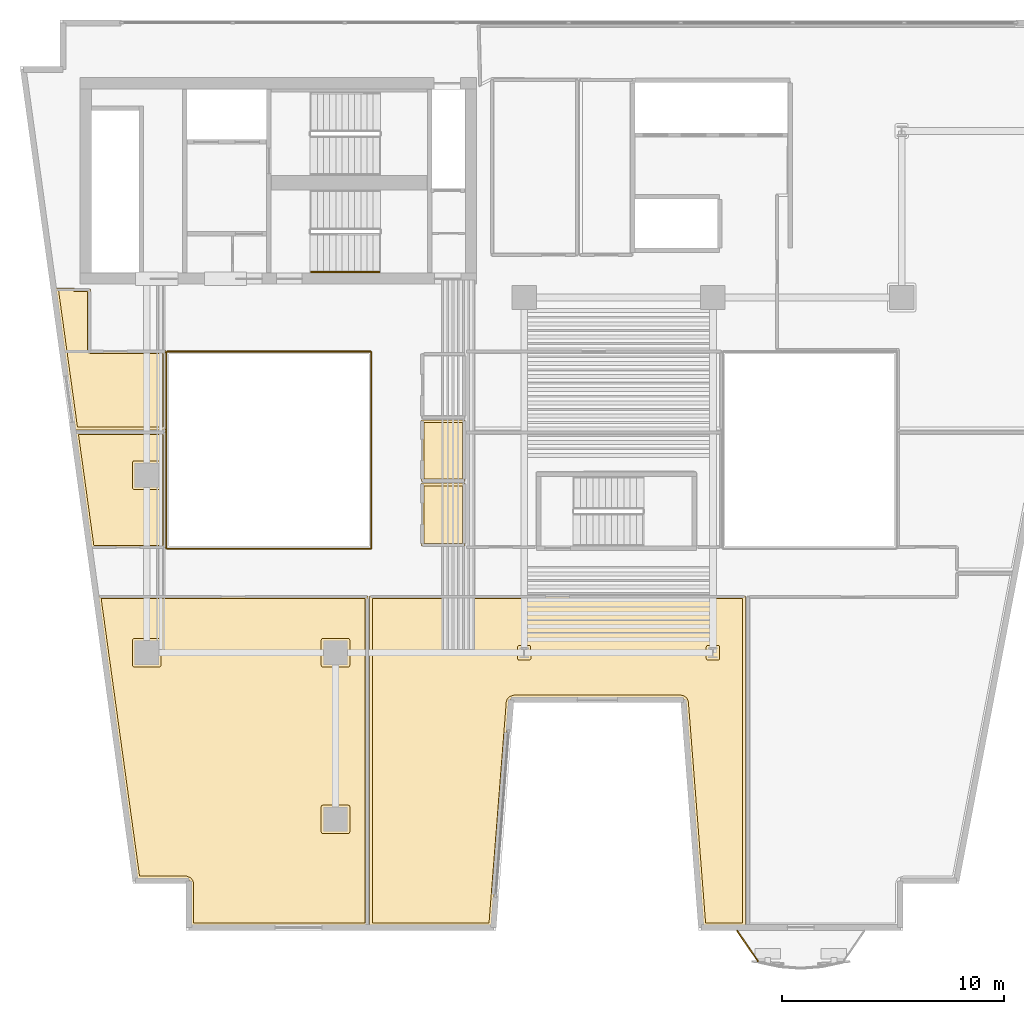
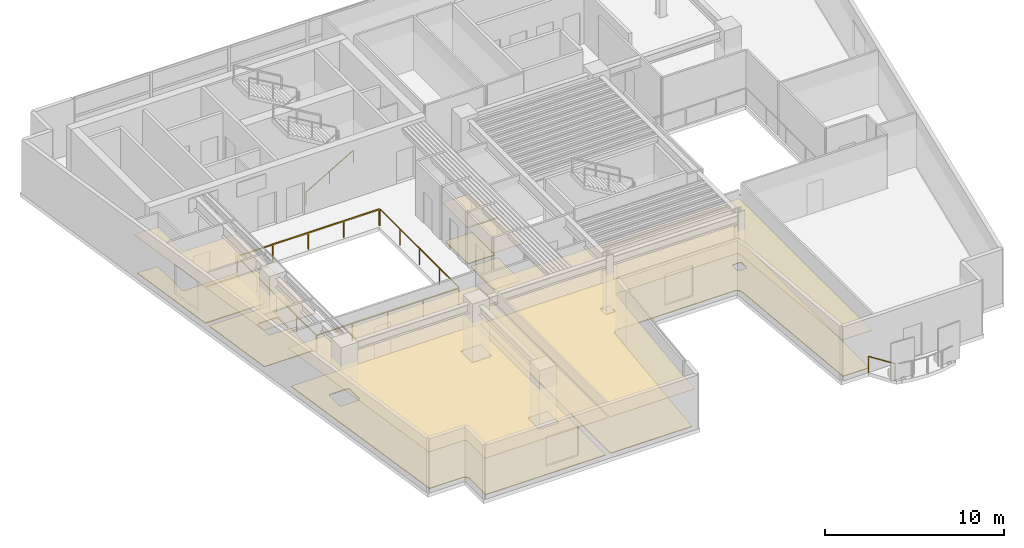
# One storey, part 9 of 13: 12 coverings, 6 railings.
"""IFC4 building model written with IfcOpenShell, lengths in metres."""

from ifc_helpers import new_model, si_unit, direction, frame, origin, origin_2d, place, context, subcontext, project, spatial, polyline, rectangle, outline, extrude, material, layer, layer_set, type_object, element, save


model = new_model("IFC4")

# Units and contexts
model_context = context("Model", 3, precision=1e-05, world=origin(), true_north=direction((0.0, 1.0)))
body_context = subcontext(model_context, "Body", "Model", "MODEL_VIEW")
ifc_project = project(units=[si_unit("LENGTHUNIT", "METRE"), si_unit("AREAUNIT", "SQUARE_METRE"), si_unit("VOLUMEUNIT", "CUBIC_METRE"), si_unit("PLANEANGLEUNIT", "RADIAN"), si_unit("MASSUNIT", "GRAM", prefix="KILO")], contexts=[model_context])

# Site, building, storey
site_placement = place(None, origin())
site = spatial("IfcSite", under=ifc_project, at=site_placement, CompositionType="ELEMENT")
building_placement = place(site_placement, origin())
building = spatial("IfcBuilding", under=site, at=building_placement, Name="Caeloran Harvest Quay", CompositionType="ELEMENT")
storey_placement = place(building_placement, frame((0.0, 0.0, 135.10009765625)))
storey = spatial("IfcBuildingStorey", under=building, at=storey_placement, Name="L31", CompositionType="ELEMENT", Elevation=135.10009765625)

# Coverings
ifc_material_1 = material(Name="Perforated Mineral-Fibre Acoustic Ceiling Tile", Category="ceiling")
ifc_layer_1 = layer(ifc_material_1, 0.0400390625, Name="Perforated Mineral-Fibre Acoustic Ceiling Tile")
ifc_layer_set_1 = layer_set([ifc_layer_1], Name="Perforated Mineral-Fibre Acoustic Ceiling Tile")
covering_type_1 = type_object("IfcCoveringType", Name="COV-CEILING-ACOUSTIC", PredefinedType="CEILING", material=ifc_layer_set_1)
covering_1_placement = place(storey_placement, frame((0.0, 0.0, 2.599853515625)))
element("IfcCovering", 1, at=covering_1_placement, inside=storey, type_object=covering_type_1, Name="L31 Female Washroom WC Acoustic Ceiling", PredefinedType="CEILING", context=body_context, shape_type="SweptSolid", body=[
    extrude(outline(polyline([(22.840087890625, 22.7099609375), (20.8701171875, 22.7099609375), (20.8701171875, 25.489990234375), (22.840087890625, 25.489990234375), (22.840087890625, 22.7099609375)])), origin(), (0.0, 0.0, 1.0), 0.0400390625),
])
covering_2_placement = place(storey_placement, frame((0.0, 0.0, 2.599853515625)))
element("IfcCovering", 2, at=covering_2_placement, inside=storey, type_object=covering_type_1, Name="L31 Accessible Unisex Washroom WC Acoustic Ceiling", PredefinedType="CEILING", context=body_context, shape_type="SweptSolid", body=[
    extrude(outline(polyline([(22.840087890625, 19.81005859375), (20.8701171875, 19.81005859375), (20.8701171875, 22.639892578125), (22.840087890625, 22.639892578125), (22.840087890625, 19.81005859375)])), origin(), (0.0, 0.0, 1.0), 0.0400390625),
])
covering_3_placement = place(storey_placement, frame((0.0, 0.0, 2.599853515625)))
element("IfcCovering", 3, at=covering_3_placement, inside=storey, type_object=covering_type_1, Name="Cellular Agriculture Bioprocess Laboratory Acoustic Ceiling", PredefinedType="CEILING", context=body_context, shape_type="SweptSolid", body=[
    extrude(outline(polyline([(10.452880859375, 4.72216796875), (10.373779296875, 4.7939453125), (10.26904296875, 4.820068359375), (8.0712890625, 4.820068359375), (6.309326171875, 17.56005859375), (18.4599609375, 17.56005859375), (18.4599609375, 2.719970703125), (10.489990234375, 2.719970703125), (10.489990234375, 4.59912109375), (10.452880859375, 4.72216796875)])), origin(), (0.0, 0.0, 1.0), 0.0400390625),
])
covering_4_placement = place(storey_placement, frame((0.0, 0.0, 2.599853515625)))
element("IfcCovering", 4, at=covering_4_placement, inside=storey, type_object=covering_type_1, Name="Fermentation Pilot Laboratory Acoustic Ceiling", PredefinedType="CEILING", context=body_context, shape_type="SweptSolid", body=[
    extrude(outline(polyline([(32.771484375, 12.788818359375), (32.739501953125, 12.86962890625), (32.696044921875, 12.918701171875), (32.61962890625, 12.960205078125), (32.553955078125, 12.969970703125), (25.031005859375, 12.969970703125), (24.90625, 12.931884765625), (24.83447265625, 12.850830078125), (24.810546875, 12.76611328125), (24.026611328125, 2.719970703125), (18.5400390625, 2.719970703125), (18.5400390625, 17.56005859375), (35.4599609375, 17.56005859375), (35.4599609375, 2.719970703125), (33.55859375, 2.719970703125), (32.771484375, 12.788818359375)])), origin(), (0.0, 0.0, 1.0), 0.0400390625),
])
covering_5_placement = place(storey_placement, frame((0.0, 0.0, 2.599853515625)))
element("IfcCovering", 5, at=covering_5_placement, inside=storey, type_object=covering_type_1, Name="Design Thinking Seminar Hall Acoustic Ceiling", PredefinedType="CEILING", context=body_context, shape_type="SweptSolid", body=[
    extrude(outline(polyline([(9.360107421875, 19.7099609375), (6.01220703125, 19.7099609375), (5.285888671875, 24.9599609375), (9.360107421875, 24.9599609375), (9.360107421875, 19.7099609375)])), origin(), (0.0, 0.0, 1.0), 0.0400390625),
])
covering_6_placement = place(storey_placement, frame((0.0, 0.0, 2.599853515625)))
element("IfcCovering", 6, at=covering_6_placement, inside=storey, type_object=covering_type_1, Name="Cellular Agriculture Bioprocess Laboratory 8 Acoustic Ceiling", PredefinedType="CEILING", context=body_context, shape_type="SweptSolid", body=[
    extrude(outline(polyline([(5.260009765625, 31.389892578125), (5.9599609375, 31.389892578125), (5.9599609375, 28.610107421875), (9.360107421875, 28.610107421875), (9.360107421875, 25.0400390625), (5.27490234375, 25.0400390625), (4.391357421875, 31.429931640625), (5.214599609375, 31.429931640625), (5.260009765625, 31.408447265625), (5.260009765625, 31.389892578125)])), origin(), (0.0, 0.0, 1.0), 0.0400390625),
])
ifc_material_2 = material(Name="Calcium-Sulphate Raised Access Floor and Terrazzo Finish", Category="flooring")
ifc_layer_2 = layer(ifc_material_2, 0.050048828125, Name="Calcium-Sulphate Raised Access Floor and Terrazzo Finish")
ifc_layer_set_2 = layer_set([ifc_layer_2], Name="Calcium-Sulphate Raised Access Floor and Terrazzo Finish")
covering_type_2 = type_object("IfcCoveringType", Name="COV-FLOOR-RAISED", PredefinedType="FLOORING", material=ifc_layer_set_2)
covering_7_placement = place(storey_placement, origin())
element("IfcCovering", 7, at=covering_7_placement, inside=storey, type_object=covering_type_2, Name="L31 Female Washroom WC Raised Finish Flooring", PredefinedType="FLOORING", context=body_context, shape_type="SweptSolid", body=[
    extrude(outline(polyline([(22.719970703125, 22.830078125), (20.989990234375, 22.830078125), (20.989990234375, 25.3701171875), (22.719970703125, 25.3701171875), (22.719970703125, 22.830078125)])), origin(), (0.0, 0.0, 1.0), 0.0498046875),
])
covering_8_placement = place(storey_placement, origin())
element("IfcCovering", 8, at=covering_8_placement, inside=storey, type_object=covering_type_2, Name="L31 Accessible Unisex Washroom WC Raised Finish Flooring", PredefinedType="FLOORING", context=body_context, shape_type="SweptSolid", body=[
    extrude(outline(polyline([(22.719970703125, 19.929931640625), (20.989990234375, 19.929931640625), (20.989990234375, 22.52001953125), (22.719970703125, 22.52001953125), (22.719970703125, 19.929931640625)])), origin(), (0.0, 0.0, 1.0), 0.0498046875),
])
covering_9_placement = place(storey_placement, origin())
element("IfcCovering", 9, at=covering_9_placement, inside=storey, type_object=covering_type_2, Name="Cellular Agriculture Bioprocess Laboratory Raised Finish Flooring", PredefinedType="FLOORING", context=body_context, shape_type="SweptSolid", body=[
    extrude(outline(polyline([(10.58544921875, 4.726318359375), (10.482666015625, 4.865234375), (10.29931640625, 4.938720703125), (8.17578125, 4.93994140625), (6.447021484375, 17.43994140625), (18.340087890625, 17.43994140625), (18.340087890625, 2.840087890625), (10.610107421875, 2.840087890625), (10.610107421875, 4.60009765625), (10.58544921875, 4.726318359375)]), holes=[polyline([(16.43505859375, 8.14501953125), (16.37841796875, 8.12158203125), (16.35498046875, 8.06494140625), (16.35498046875, 6.93505859375), (16.37841796875, 6.87841796875), (16.43505859375, 6.85498046875), (17.56494140625, 6.85498046875), (17.62158203125, 6.87841796875), (17.64501953125, 6.93505859375), (17.64501953125, 8.06494140625), (17.62158203125, 8.12158203125), (17.56494140625, 8.14501953125), (16.43505859375, 8.14501953125)]), polyline([(16.43505859375, 15.64501953125), (16.37841796875, 15.62158203125), (16.35498046875, 15.56494140625), (16.35498046875, 14.43505859375), (16.37841796875, 14.37841796875), (16.43505859375, 14.35498046875), (17.56494140625, 14.35498046875), (17.62158203125, 14.37841796875), (17.64501953125, 14.43505859375), (17.64501953125, 15.56494140625), (17.62158203125, 15.62158203125), (17.56494140625, 15.64501953125), (16.43505859375, 15.64501953125)]), polyline([(7.93505859375, 15.64501953125), (7.87841796875, 15.62158203125), (7.85498046875, 15.56494140625), (7.85498046875, 14.43505859375), (7.87841796875, 14.37841796875), (7.93505859375, 14.35498046875), (9.06494140625, 14.35498046875), (9.12158203125, 14.37841796875), (9.14501953125, 14.43505859375), (9.14501953125, 15.56494140625), (9.12158203125, 15.62158203125), (9.06494140625, 15.64501953125), (7.93505859375, 15.64501953125)])]), origin(), (0.0, 0.0, 1.0), 0.0498046875),
])
covering_10_placement = place(storey_placement, origin())
element("IfcCovering", 10, at=covering_10_placement, inside=storey, type_object=covering_type_2, Name="Fermentation Pilot Laboratory Raised Finish Flooring", PredefinedType="FLOORING", context=body_context, shape_type="SweptSolid", body=[
    extrude(outline(polyline([(32.89404296875, 12.776611328125), (32.85888671875, 12.902099609375), (32.795166015625, 12.990478515625), (32.68310546875, 13.06494140625), (32.55908203125, 13.08984375), (25.030029296875, 13.090087890625), (24.835693359375, 13.02880859375), (24.729736328125, 12.9091796875), (24.69091796875, 12.776611328125), (23.91552734375, 2.840087890625), (18.659912109375, 2.840087890625), (18.659912109375, 17.43994140625), (35.340087890625, 17.43994140625), (35.340087890625, 2.840087890625), (33.66943359375, 2.840087890625), (32.89404296875, 12.776611328125)]), holes=[polyline([(34.306884765625, 14.748046875), (34.288818359375, 15.302734375), (34.23486328125, 15.33154296875), (33.77294921875, 15.33203125), (33.71630859375, 15.30859375), (33.693115234375, 15.251953125), (33.693115234375, 14.748046875), (33.71630859375, 14.69140625), (33.77294921875, 14.66796875), (34.22705078125, 14.66796875), (34.28369140625, 14.69140625), (34.306884765625, 14.748046875)]), polyline([(25.806884765625, 14.748046875), (25.788818359375, 15.302734375), (25.73486328125, 15.33154296875), (25.27294921875, 15.33203125), (25.21630859375, 15.30859375), (25.193115234375, 15.251953125), (25.193115234375, 14.748046875), (25.21630859375, 14.69140625), (25.27294921875, 14.66796875), (25.72705078125, 14.66796875), (25.78369140625, 14.69140625), (25.806884765625, 14.748046875)])]), origin(), (0.0, 0.0, 1.0), 0.0498046875),
])
covering_11_placement = place(storey_placement, origin())
element("IfcCovering", 11, at=covering_11_placement, inside=storey, type_object=covering_type_2, Name="Design Thinking Seminar Hall Raised Finish Flooring", PredefinedType="FLOORING", context=body_context, shape_type="SweptSolid", body=[
    extrude(outline(polyline([(9.239990234375, 24.840087890625), (9.239990234375, 19.830078125), (6.11669921875, 19.830078125), (5.423828125, 24.840087890625), (9.239990234375, 24.840087890625)]), holes=[polyline([(9.14501953125, 23.56494140625), (9.12158203125, 23.62158203125), (9.06494140625, 23.64501953125), (7.93505859375, 23.64501953125), (7.87841796875, 23.62158203125), (7.85498046875, 23.56494140625), (7.85498046875, 22.43505859375), (7.87841796875, 22.37841796875), (7.93505859375, 22.35498046875), (9.06494140625, 22.35498046875), (9.12158203125, 22.37841796875), (9.14501953125, 22.43505859375), (9.14501953125, 23.56494140625)])]), origin(), (0.0, 0.0, 1.0), 0.0498046875),
])
covering_12_placement = place(storey_placement, origin())
element("IfcCovering", 12, at=covering_12_placement, inside=storey, type_object=covering_type_2, Name="Cellular Agriculture Bioprocess Laboratory 8 Raised Finish Flooring", PredefinedType="FLOORING", context=body_context, shape_type="SweptSolid", body=[
    extrude(outline(polyline([(5.165283203125, 31.31005859375), (5.2431640625, 31.270263671875), (5.840087890625, 31.27001953125), (5.840087890625, 28.60009765625), (5.8857421875, 28.5107421875), (5.949951171875, 28.489990234375), (9.239990234375, 28.489990234375), (9.239990234375, 25.159912109375), (5.37939453125, 25.159912109375), (4.529052734375, 31.31005859375), (5.165283203125, 31.31005859375)])), origin(), (0.0, 0.0, 1.0), 0.0498046875),
])

# Railings
ifc_material_3 = material(Name="Powder-Coated Steel Post and Laminated Glass Guardrail", Category="steel")
ifc_layer_3 = layer(ifc_material_3, 0.06005859375, Name="Powder-Coated Steel Post and Laminated Glass Guardrail")
ifc_layer_set_3 = layer_set([ifc_layer_3], Name="Powder-Coated Steel Post and Laminated Glass Guardrail")
railing_type_1 = type_object("IfcRailingType", Name="GUARD-ATRIUM-1150", PredefinedType="GUARDRAIL", material=ifc_layer_set_3)
railing_1_placement = place(storey_placement, frame((9.412109375, 19.679931640625, 0.0)))
element("IfcRailing", 13, at=railing_1_placement, inside=storey, type_object=railing_type_1, Name="L31 Skylit Atrium Void Perimeter Guardrail Seg 1", PredefinedType="GUARDRAIL", context=body_context, shape_type="SweptSolid", body=[
    extrude(rectangle(XDim=0.048095703125, YDim=0.048095703125, at=origin_2d()), frame((0.0, 0.0, 1.1259765625), z_axis=(1.0, 0.0, 0.0), x_axis=(0.0, 1.0, 0.0)), (0.0, 0.0, 1.0), 9.17578125),
    extrude(rectangle(XDim=0.0419921875, YDim=0.0419921875, at=origin_2d()), origin(), (0.0, 0.0, 1.0), 1.101806640625),
    extrude(rectangle(XDim=0.0419921875, YDim=0.0419921875, at=origin_2d()), frame((2.2939453125, 0.0, 0.0)), (0.0, 0.0, 1.0), 1.101806640625),
    extrude(rectangle(XDim=0.0419921875, YDim=0.0419921875, at=origin_2d()), frame((4.587890625, 0.0, 0.0)), (0.0, 0.0, 1.0), 1.101806640625),
    extrude(rectangle(XDim=0.0419921875, YDim=0.0419921875, at=origin_2d()), frame((6.8818359375, 0.0, 0.0)), (0.0, 0.0, 1.0), 1.101806640625),
    extrude(rectangle(XDim=0.0419921875, YDim=0.0419921875, at=origin_2d()), frame((9.17578125, 0.0, 0.0)), (0.0, 0.0, 1.0), 1.101806640625),
])
railing_2_placement = place(storey_placement, frame((18.6201171875, 19.7119140625, 0.0)))
element("IfcRailing", 14, at=railing_2_placement, inside=storey, type_object=railing_type_1, Name="L31 Skylit Atrium Void Perimeter Guardrail Seg 2", PredefinedType="GUARDRAIL", context=body_context, shape_type="SweptSolid", body=[
    extrude(rectangle(XDim=0.048095703125, YDim=0.048095703125, at=origin_2d()), frame((0.0, 0.0, 1.1259765625), z_axis=(0.0, 1.0, 0.0), x_axis=(-1.0, 0.0, 0.0)), (0.0, 0.0, 1.0), 8.826171875),
    extrude(rectangle(XDim=0.0419921875, YDim=0.0419921875, at=origin_2d()), origin(), (0.0, 0.0, 1.0), 1.101806640625),
    extrude(rectangle(XDim=0.0419921875, YDim=0.0419921875, at=origin_2d()), frame((0.0, 2.20654296875, 0.0)), (0.0, 0.0, 1.0), 1.101806640625),
    extrude(rectangle(XDim=0.0419921875, YDim=0.0419921875, at=origin_2d()), frame((0.0, 4.4130859375, 0.0)), (0.0, 0.0, 1.0), 1.101806640625),
    extrude(rectangle(XDim=0.0419921875, YDim=0.0419921875, at=origin_2d()), frame((0.0, 6.61962890625, 0.0)), (0.0, 0.0, 1.0), 1.101806640625),
    extrude(rectangle(XDim=0.0419921875, YDim=0.0419921875, at=origin_2d()), frame((0.0, 8.826171875, 0.0)), (0.0, 0.0, 1.0), 1.101806640625),
])
railing_3_placement = place(storey_placement, frame((18.587890625, 28.570068359375, 0.0)))
element("IfcRailing", 15, at=railing_3_placement, inside=storey, type_object=railing_type_1, Name="L31 Skylit Atrium Void Perimeter Guardrail Seg 3", PredefinedType="GUARDRAIL", context=body_context, shape_type="SweptSolid", body=[
    extrude(rectangle(XDim=0.048095703125, YDim=0.048095703125, at=origin_2d()), frame((0.0, 0.0, 1.1259765625), z_axis=(-1.0, 0.0, 0.0), x_axis=(0.0, -1.0, 0.0)), (0.0, 0.0, 1.0), 9.17578125),
    extrude(rectangle(XDim=0.0419921875, YDim=0.0419921875, at=origin_2d()), origin(), (0.0, 0.0, 1.0), 1.101806640625),
    extrude(rectangle(XDim=0.0419921875, YDim=0.0419921875, at=origin_2d()), frame((-2.2939453125, 0.0, 0.0)), (0.0, 0.0, 1.0), 1.101806640625),
    extrude(rectangle(XDim=0.0419921875, YDim=0.0419921875, at=origin_2d()), frame((-4.587890625, 0.0, 0.0)), (0.0, 0.0, 1.0), 1.101806640625),
    extrude(rectangle(XDim=0.0419921875, YDim=0.0419921875, at=origin_2d()), frame((-6.8818359375, 0.0, 0.0)), (0.0, 0.0, 1.0), 1.101806640625),
    extrude(rectangle(XDim=0.0419921875, YDim=0.0419921875, at=origin_2d()), frame((-9.17578125, 0.0, 0.0)), (0.0, 0.0, 1.0), 1.101806640625),
])
railing_4_placement = place(storey_placement, frame((9.3798828125, 28.5380859375, 0.0)))
element("IfcRailing", 16, at=railing_4_placement, inside=storey, type_object=railing_type_1, Name="L31 Skylit Atrium Void Perimeter Guardrail Seg 4", PredefinedType="GUARDRAIL", context=body_context, shape_type="SweptSolid", body=[
    extrude(rectangle(XDim=0.048095703125, YDim=0.048095703125, at=origin_2d()), frame((0.0, 0.0, 1.1259765625), z_axis=(0.0, -1.0, 0.0), x_axis=(1.0, 0.0, 0.0)), (0.0, 0.0, 1.0), 8.826171875),
    extrude(rectangle(XDim=0.0419921875, YDim=0.0419921875, at=origin_2d()), origin(), (0.0, 0.0, 1.0), 1.101806640625),
    extrude(rectangle(XDim=0.0419921875, YDim=0.0419921875, at=origin_2d()), frame((0.0, -2.20654296875, 0.0)), (0.0, 0.0, 1.0), 1.101806640625),
    extrude(rectangle(XDim=0.0419921875, YDim=0.0419921875, at=origin_2d()), frame((0.0, -4.4130859375, 0.0)), (0.0, 0.0, 1.0), 1.101806640625),
    extrude(rectangle(XDim=0.0419921875, YDim=0.0419921875, at=origin_2d()), frame((0.0, -6.61962890625, 0.0)), (0.0, 0.0, 1.0), 1.101806640625),
    extrude(rectangle(XDim=0.0419921875, YDim=0.0419921875, at=origin_2d()), frame((0.0, -8.826171875, 0.0)), (0.0, 0.0, 1.0), 1.101806640625),
])
ifc_material_4 = material(Name="Laminated Safety Glass and Stainless Steel 316", Category="steel")
ifc_layer_4 = layer(ifc_material_4, 0.06005859375, Name="Laminated Safety Glass and Stainless Steel 316")
ifc_layer_set_4 = layer_set([ifc_layer_4], Name="Laminated Safety Glass and Stainless Steel 316")
railing_type_2 = type_object("IfcRailingType", Name="GUARD-BALUSTRADE-1150", PredefinedType="BALUSTRADE", material=ifc_layer_set_4)
railing_5_placement = place(storey_placement, frame((36.027099609375, 1.109130859375, 0.0)))
element("IfcRailing", 17, at=railing_5_placement, inside=storey, type_object=railing_type_2, Name="L31 Planted Balcony Perimeter Balustrade Guard Seg 6", PredefinedType="BALUSTRADE", context=body_context, shape_type="SweptSolid", body=[
    extrude(rectangle(XDim=0.048095703125, YDim=0.048095703125, at=origin_2d()), frame((0.0, 0.0, 1.1259765625), z_axis=(-0.564699722843, 0.82529644554, 0.0), x_axis=(-0.82529644554, -0.564699722843, 0.0)), (0.0, 0.0, 1.0), 1.6611328125),
    extrude(rectangle(XDim=0.0419921875, YDim=0.0419921875, at=origin_2d()), origin(), (0.0, 0.0, 1.0), 1.101806640625),
    extrude(rectangle(XDim=0.0419921875, YDim=0.0419921875, at=origin_2d()), frame((-0.93798828125, 1.370849609375, 0.0)), (0.0, 0.0, 1.0), 1.101806640625),
])
ifc_material_5 = material(Name="Brushed Stainless Steel Grade 304", Category="steel")
ifc_layer_5 = layer(ifc_material_5, 0.050048828125, Name="Brushed Stainless Steel Grade 304")
ifc_layer_set_5 = layer_set([ifc_layer_5], Name="Brushed Stainless Steel Grade 304")
railing_type_3 = type_object("IfcRailingType", Name="STAIR-HANDRAIL-900", PredefinedType="HANDRAIL", material=ifc_layer_set_5)
railing_6_placement = place(storey_placement, frame((15.89990234375, 32.14990234375, 0.16455078125)))
element("IfcRailing", 18, at=railing_6_placement, inside=storey, type_object=railing_type_3, Name="L31 ST-C2 stair handrail 1", PredefinedType="HANDRAIL", context=body_context, shape_type="SweptSolid", body=[
    extrude(rectangle(XDim=0.048095703125, YDim=0.048095703125, at=origin_2d()), frame((0.0, 0.0, 0.8759765625), z_axis=(0.862118610829, 0.0, 0.506706523406), x_axis=(0.0, 1.0, 0.0)), (0.0, 0.0, 1.0), 3.57275390625),
    extrude(rectangle(XDim=0.0419921875, YDim=0.0419921875, at=origin_2d()), origin(), (0.0, 0.0, 1.0), 0.851806640625),
    extrude(rectangle(XDim=0.0419921875, YDim=0.0419921875, at=origin_2d()), frame((1.5400390625, 0.0, 0.9052734375)), (0.0, 0.0, 1.0), 0.851806640625),
    extrude(rectangle(XDim=0.0419921875, YDim=0.0419921875, at=origin_2d()), frame((3.080078125, 0.0, 1.810302734375)), (0.0, 0.0, 1.0), 0.851806640625),
])

save(model, "model.ifc")
